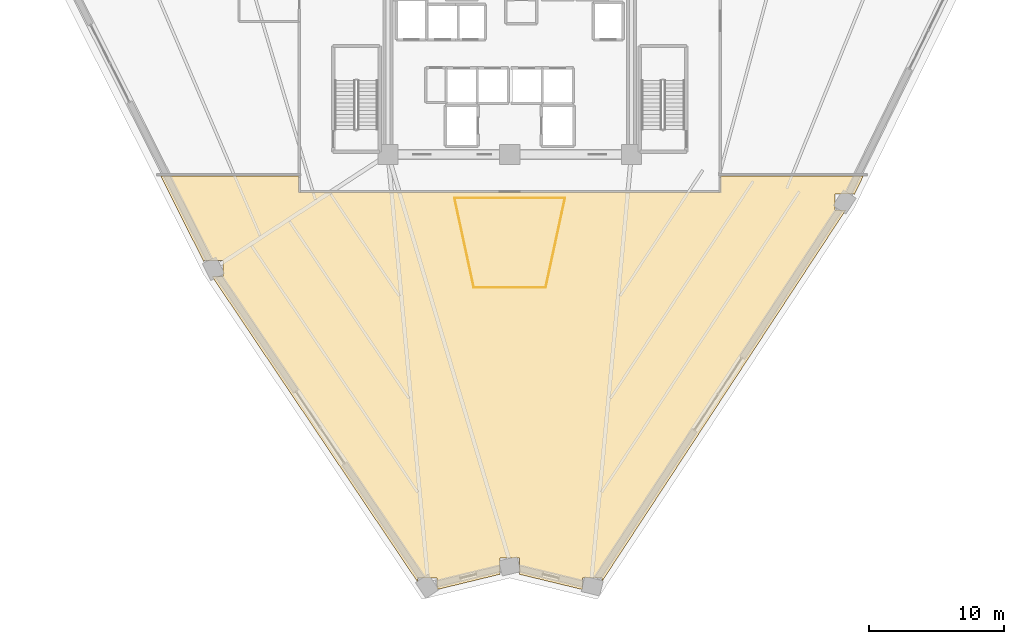
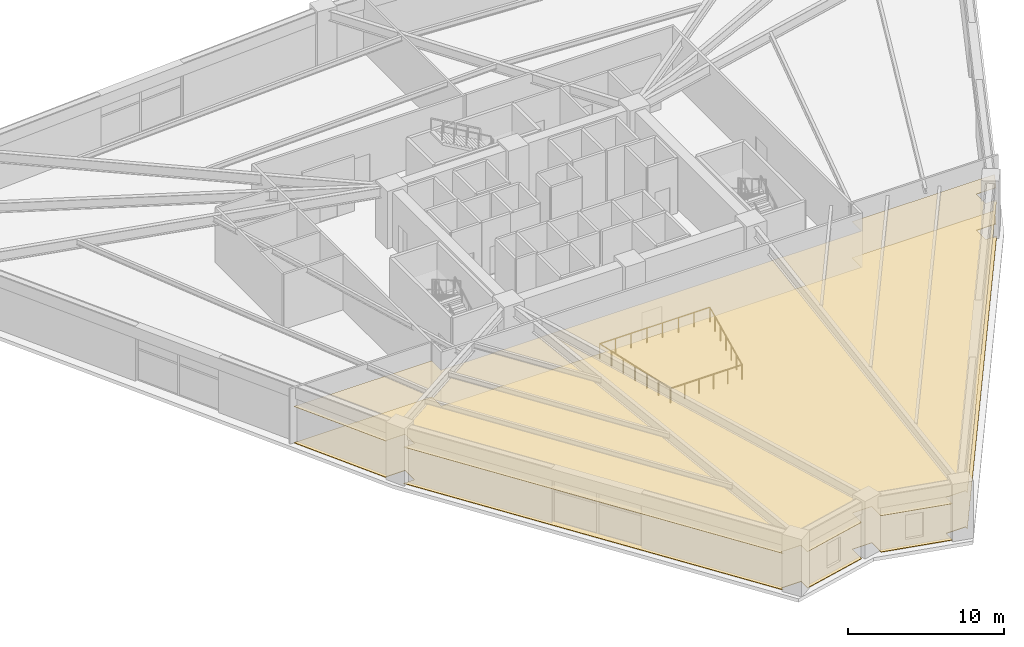
# One storey, part 29 of 30: 4 railings, 2 coverings.
"""IFC4 building model written with IfcOpenShell, lengths in metres."""

from ifc_helpers import new_model, si_unit, direction, frame, origin, origin_2d, place, context, subcontext, project, spatial, polyline, rectangle, outline, extrude, material, layer, layer_set, type_object, element, save


model = new_model("IFC4")

# Units and contexts
model_context = context("Model", 3, precision=1e-05, world=origin(), true_north=direction((0.0, 1.0)))
body_context = subcontext(model_context, "Body", "Model", "MODEL_VIEW")
ifc_project = project(units=[si_unit("LENGTHUNIT", "METRE"), si_unit("AREAUNIT", "SQUARE_METRE"), si_unit("VOLUMEUNIT", "CUBIC_METRE"), si_unit("PLANEANGLEUNIT", "RADIAN"), si_unit("MASSUNIT", "GRAM", prefix="KILO")], contexts=[model_context])

# Site, building, storey
site_placement = place(None, origin())
site = spatial("IfcSite", under=ifc_project, at=site_placement, CompositionType="ELEMENT")
building_placement = place(site_placement, origin())
building = spatial("IfcBuilding", under=site, at=building_placement, Name="Liaohun Quay Tower", CompositionType="ELEMENT")
storey_placement = place(building_placement, frame((0.0, 0.0, 97.5)))
storey = spatial("IfcBuildingStorey", under=building, at=storey_placement, Name="L25", CompositionType="ELEMENT", Elevation=97.5)

# Coverings
ifc_material_1 = material(Name="Mineral-fibre acoustic ceiling tile")
ifc_layer_1 = layer(ifc_material_1, 0.02490234375, Name="Mineral-fibre acoustic ceiling tile")
ifc_layer_set_1 = layer_set([ifc_layer_1], Name="Mineral-fibre acoustic ceiling tile")
covering_type_1 = type_object("IfcCoveringType", Name="COV-CEIL-ACT", PredefinedType="CEILING", material=ifc_layer_set_1)
covering_1_placement = place(storey_placement, frame((0.0, 0.0, 2.85009765625)))
element("IfcCovering", 1, at=covering_1_placement, inside=storey, type_object=covering_type_1, Name="L25 Sky Refreshment Pantry and Kitchen 03 Acoustic Ceiling", PredefinedType="CEILING", context=body_context, shape_type="SweptSolid", body=[
    extrude(outline(polyline([(34.174072265625, 44.925048828125), (37.368896484375, 38.575927734375), (37.368896484375, 38.652099609375), (38.80908203125, 38.652099609375), (38.80908203125, 37.4619140625), (37.9951171875, 37.4619140625), (53.172119140625, 14.904052734375), (53.172119140625, 15.1630859375), (54.612060546875, 15.1630859375), (54.612060546875, 14.320068359375), (59.281005859375, 15.447998046875), (59.280029296875, 16.637939453125), (60.719970703125, 16.637939453125), (60.718994140625, 15.447998046875), (65.381103515625, 14.322021484375), (65.381103515625, 15.1650390625), (66.821044921875, 15.1650390625), (66.821044921875, 14.919921875), (84.863037109375, 42.402099609375), (84.04296875, 42.402099609375), (84.04296875, 43.592041015625), (85.48291015625, 43.592041015625), (85.48291015625, 43.534912109375), (86.1630859375, 44.925048828125), (75.580078125, 44.925048828125), (75.580078125, 43.719970703125), (44.419921875, 43.719970703125), (44.419921875, 44.925048828125), (34.174072265625, 44.925048828125)])), origin(), (0.0, 0.0, 1.0), 0.02490234375),
])
ifc_material_2 = material(Name="Honed Liaodong granite floor paving", Category="masonry")
ifc_layer_2 = layer(ifc_material_2, 0.034912109375, Name="Honed Liaodong granite floor paving", Category="masonry")
ifc_layer_set_2 = layer_set([ifc_layer_2], Name="Honed Liaodong granite floor paving")
covering_type_2 = type_object("IfcCoveringType", Name="COV-FLR-STN", PredefinedType="FLOORING", material=ifc_layer_set_2)
covering_2_placement = place(storey_placement, origin())
element("IfcCovering", 2, at=covering_2_placement, inside=storey, type_object=covering_type_2, Name="L25 Sky Refreshment Pantry and Kitchen 03 Floor Finish", PredefinedType="FLOORING", context=body_context, shape_type="SweptSolid", body=[
    extrude(outline(polyline([(34.174072265625, 44.925048828125), (37.368896484375, 38.575927734375), (37.368896484375, 38.652099609375), (38.80908203125, 38.652099609375), (38.80908203125, 37.4619140625), (37.9951171875, 37.4619140625), (53.172119140625, 14.904052734375), (53.172119140625, 15.1630859375), (54.612060546875, 15.1630859375), (54.612060546875, 14.320068359375), (59.281005859375, 15.447998046875), (59.280029296875, 16.637939453125), (60.719970703125, 16.637939453125), (60.718994140625, 15.447998046875), (65.381103515625, 14.322021484375), (65.381103515625, 15.1650390625), (66.821044921875, 15.1650390625), (66.821044921875, 14.919921875), (84.863037109375, 42.402099609375), (84.04296875, 42.402099609375), (84.04296875, 43.592041015625), (85.48291015625, 43.592041015625), (85.48291015625, 43.534912109375), (86.1630859375, 44.925048828125), (75.580078125, 44.925048828125), (75.580078125, 43.719970703125), (44.419921875, 43.719970703125), (44.419921875, 44.925048828125), (34.174072265625, 44.925048828125)])), origin(), (0.0, 0.0, 1.0), 0.034912109375),
])

# Railings
ifc_material_3 = material(Name="Laminated safety glass and stainless steel", Category="steel")
railing_type = type_object("IfcRailingType", Name="RLG-GUARD-ATR", PredefinedType="BALUSTRADE", material=ifc_material_3)
railing_1_placement = place(storey_placement, frame((57.343994140625, 36.6669921875, 0.0)))
element("IfcRailing", 3, at=railing_1_placement, inside=storey, type_object=railing_type, Name="L25 Atrium Edge Balustrade 1", PredefinedType="BALUSTRADE", context=body_context, shape_type="SweptSolid", body=[
    extrude(rectangle(XDim=0.048095703125, YDim=0.048095703125, at=origin_2d()), frame((0.0, 0.0, 1.17578125), z_axis=(-0.211207008602, 0.977441353493, 0.0), x_axis=(-0.977441353493, -0.211207008602, 0.0)), (0.0, 0.0, 1.0), 6.765625),
    extrude(rectangle(XDim=0.0419921875, YDim=0.0419921875, at=origin_2d()), origin(), (0.0, 0.0, 1.0), 1.15185546875),
    extrude(rectangle(XDim=0.0419921875, YDim=0.0419921875, at=origin_2d()), frame((-0.23828125, 1.10205078125, 0.0)), (0.0, 0.0, 1.0), 1.15185546875),
    extrude(rectangle(XDim=0.0419921875, YDim=0.0419921875, at=origin_2d()), frame((-0.476318359375, 2.204345703125, 0.0)), (0.0, 0.0, 1.0), 1.15185546875),
    extrude(rectangle(XDim=0.0419921875, YDim=0.0419921875, at=origin_2d()), frame((-0.71435546875, 3.306640625, 0.0)), (0.0, 0.0, 1.0), 1.15185546875),
    extrude(rectangle(XDim=0.0419921875, YDim=0.0419921875, at=origin_2d()), frame((-0.95263671875, 4.40869140625, 0.0)), (0.0, 0.0, 1.0), 1.15185546875),
    extrude(rectangle(XDim=0.0419921875, YDim=0.0419921875, at=origin_2d()), frame((-1.19091796875, 5.5107421875, 0.0)), (0.0, 0.0, 1.0), 1.15185546875),
    extrude(rectangle(XDim=0.0419921875, YDim=0.0419921875, at=origin_2d()), frame((-1.428955078125, 6.613037109375, 0.0)), (0.0, 0.0, 1.0), 1.15185546875),
])
railing_2_placement = place(storey_placement, frame((55.9150390625, 43.280029296875, 0.0)))
element("IfcRailing", 4, at=railing_2_placement, inside=storey, type_object=railing_type, Name="L25 Atrium Edge Balustrade 2", PredefinedType="BALUSTRADE", context=body_context, shape_type="SweptSolid", body=[
    extrude(rectangle(XDim=0.048095703125, YDim=0.048095703125, at=origin_2d()), frame((0.0, 0.0, 1.17578125), z_axis=(1.0, 0.0, 0.0), x_axis=(0.0, 1.0, 0.0)), (0.0, 0.0, 1.0), 8.169921875),
    extrude(rectangle(XDim=0.0419921875, YDim=0.0419921875, at=origin_2d()), origin(), (0.0, 0.0, 1.0), 1.15185546875),
    extrude(rectangle(XDim=0.0419921875, YDim=0.0419921875, at=origin_2d()), frame((1.167236328125, 0.0, 0.0)), (0.0, 0.0, 1.0), 1.15185546875),
    extrude(rectangle(XDim=0.0419921875, YDim=0.0419921875, at=origin_2d()), frame((2.334228515625, 0.0, 0.0)), (0.0, 0.0, 1.0), 1.15185546875),
    extrude(rectangle(XDim=0.0419921875, YDim=0.0419921875, at=origin_2d()), frame((3.50146484375, 0.0, 0.0)), (0.0, 0.0, 1.0), 1.15185546875),
    extrude(rectangle(XDim=0.0419921875, YDim=0.0419921875, at=origin_2d()), frame((4.66845703125, 0.0, 0.0)), (0.0, 0.0, 1.0), 1.15185546875),
    extrude(rectangle(XDim=0.0419921875, YDim=0.0419921875, at=origin_2d()), frame((5.835693359375, 0.0, 0.0)), (0.0, 0.0, 1.0), 1.15185546875),
    extrude(rectangle(XDim=0.0419921875, YDim=0.0419921875, at=origin_2d()), frame((7.002685546875, 0.0, 0.0)), (0.0, 0.0, 1.0), 1.15185546875),
    extrude(rectangle(XDim=0.0419921875, YDim=0.0419921875, at=origin_2d()), frame((8.169921875, 0.0, 0.0)), (0.0, 0.0, 1.0), 1.15185546875),
])
railing_3_placement = place(storey_placement, frame((64.0849609375, 43.280029296875, 0.0)))
element("IfcRailing", 5, at=railing_3_placement, inside=storey, type_object=railing_type, Name="L25 Atrium Edge Balustrade 3", PredefinedType="BALUSTRADE", context=body_context, shape_type="SweptSolid", body=[
    extrude(rectangle(XDim=0.048095703125, YDim=0.048095703125, at=origin_2d()), frame((0.0, 0.0, 1.17578125), z_axis=(-0.211207008602, -0.977441353493, 0.0), x_axis=(0.977441353493, -0.211207008602, 0.0)), (0.0, 0.0, 1.0), 6.765625),
    extrude(rectangle(XDim=0.0419921875, YDim=0.0419921875, at=origin_2d()), origin(), (0.0, 0.0, 1.0), 1.15185546875),
    extrude(rectangle(XDim=0.0419921875, YDim=0.0419921875, at=origin_2d()), frame((-0.23828125, -1.10205078125, 0.0)), (0.0, 0.0, 1.0), 1.15185546875),
    extrude(rectangle(XDim=0.0419921875, YDim=0.0419921875, at=origin_2d()), frame((-0.476318359375, -2.204345703125, 0.0)), (0.0, 0.0, 1.0), 1.15185546875),
    extrude(rectangle(XDim=0.0419921875, YDim=0.0419921875, at=origin_2d()), frame((-0.71435546875, -3.306640625, 0.0)), (0.0, 0.0, 1.0), 1.15185546875),
    extrude(rectangle(XDim=0.0419921875, YDim=0.0419921875, at=origin_2d()), frame((-0.95263671875, -4.40869140625, 0.0)), (0.0, 0.0, 1.0), 1.15185546875),
    extrude(rectangle(XDim=0.0419921875, YDim=0.0419921875, at=origin_2d()), frame((-1.19091796875, -5.5107421875, 0.0)), (0.0, 0.0, 1.0), 1.15185546875),
    extrude(rectangle(XDim=0.0419921875, YDim=0.0419921875, at=origin_2d()), frame((-1.428955078125, -6.613037109375, 0.0)), (0.0, 0.0, 1.0), 1.15185546875),
])
railing_4_placement = place(storey_placement, frame((62.656005859375, 36.6669921875, 0.0)))
element("IfcRailing", 6, at=railing_4_placement, inside=storey, type_object=railing_type, Name="L25 Atrium Edge Balustrade 4", PredefinedType="BALUSTRADE", context=body_context, shape_type="SweptSolid", body=[
    extrude(rectangle(XDim=0.048095703125, YDim=0.048095703125, at=origin_2d()), frame((0.0, 0.0, 1.17578125), z_axis=(-1.0, 0.0, 0.0), x_axis=(0.0, -1.0, 0.0)), (0.0, 0.0, 1.0), 5.31201171875),
    extrude(rectangle(XDim=0.0419921875, YDim=0.0419921875, at=origin_2d()), origin(), (0.0, 0.0, 1.0), 1.15185546875),
    extrude(rectangle(XDim=0.0419921875, YDim=0.0419921875, at=origin_2d()), frame((-1.0625, 0.0, 0.0)), (0.0, 0.0, 1.0), 1.15185546875),
    extrude(rectangle(XDim=0.0419921875, YDim=0.0419921875, at=origin_2d()), frame((-2.124755859375, 0.0, 0.0)), (0.0, 0.0, 1.0), 1.15185546875),
    extrude(rectangle(XDim=0.0419921875, YDim=0.0419921875, at=origin_2d()), frame((-3.187255859375, 0.0, 0.0)), (0.0, 0.0, 1.0), 1.15185546875),
    extrude(rectangle(XDim=0.0419921875, YDim=0.0419921875, at=origin_2d()), frame((-4.24951171875, 0.0, 0.0)), (0.0, 0.0, 1.0), 1.15185546875),
    extrude(rectangle(XDim=0.0419921875, YDim=0.0419921875, at=origin_2d()), frame((-5.31201171875, 0.0, 0.0)), (0.0, 0.0, 1.0), 1.15185546875),
])

save(model, "model.ifc")
